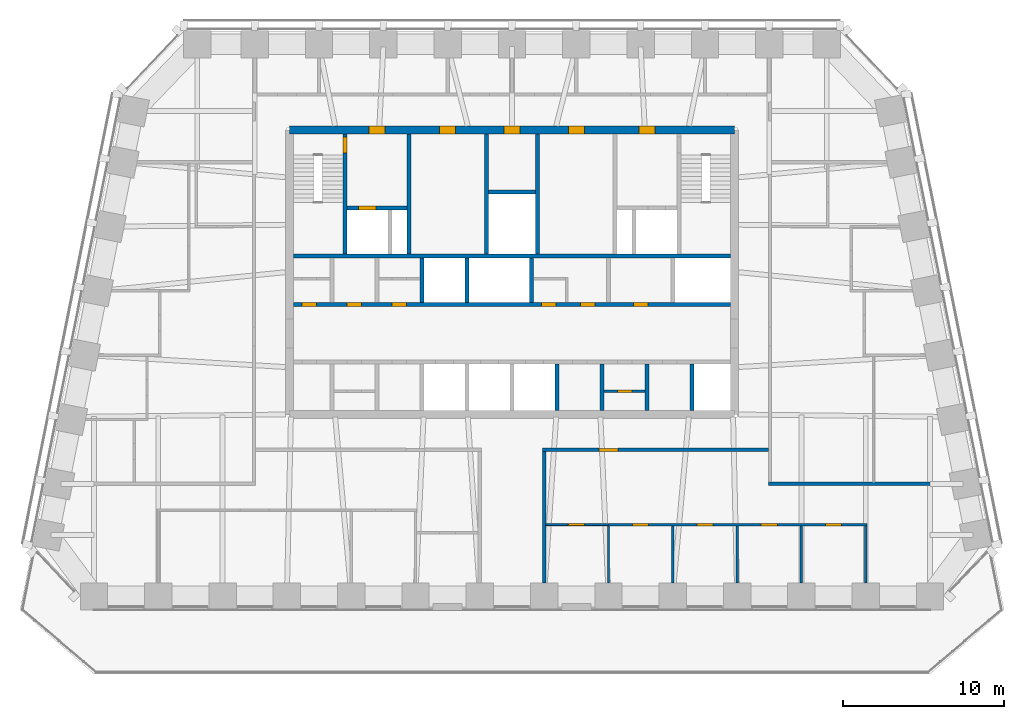
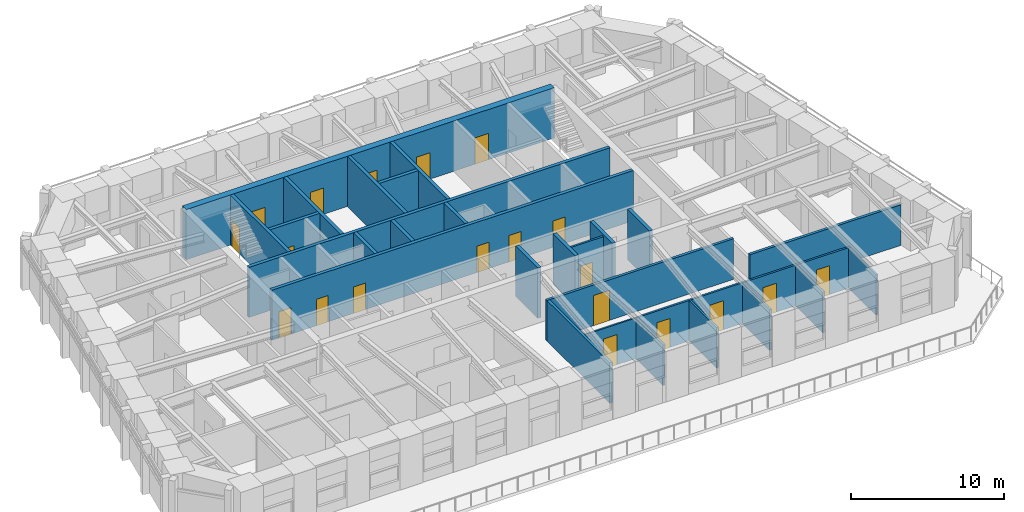
# One storey, part 6 of 11: 27 walls, 20 doors, 20 openings.
"""IFC4 building model written with IfcOpenShell, lengths in metres."""

import ifcopenshell
import ifcopenshell.guid

model = None  # the IFC model being written
_history = None  # IfcOwnerHistory: only IFC2X3 demands one
_inside = {}  # id of a spatial element -> (the spatial element, [elements in it])
_under = {}  # id of a project, library or spatial element -> (it, [spatial elements below it])
_declared = {}  # id of a project -> (the project, [libraries it declares])
_typed = {}  # id of a type object -> (the type object, [elements of that type])
_made_of = {}  # id of a material, layer set ... -> (it, [elements and type objects made of it])


def new_model(schema):
    """Start an empty IFC model of exactly this schema.

    Asked for "IFC4X3", IfcOpenShell would pick the latest addendum, in which some entities
    have other attributes; the version numbers below select the first issue.
    IFC2X3 requires an IfcOwnerHistory on every rooted entity: one is made here for all.
    """
    global model, _history
    if schema == "IFC4X3":
        model = ifcopenshell.file(schema_version=(4, 3, 0, 0))
    else:
        model = ifcopenshell.file(schema=schema)
    _inside.clear()
    _under.clear()
    _declared.clear()
    _typed.clear()
    _made_of.clear()
    _history = None
    if model.schema == "IFC2X3":
        org = make("IfcOrganization", Name="unknown")
        user = make(
            "IfcPersonAndOrganization",
            ThePerson=make("IfcPerson", FamilyName="unknown"),
            TheOrganization=org,
        )
        app = make(
            "IfcApplication",
            ApplicationDeveloper=org,
            Version="unknown",
            ApplicationFullName="unknown",
            ApplicationIdentifier="unknown",
        )
        _history = make(
            "IfcOwnerHistory",
            OwningUser=user,
            OwningApplication=app,
            ChangeAction="ADDED",
            CreationDate=0,
        )
    return model


def make(cls, **values):
    """One entity of the class cls with the attributes given. An attribute that is None is left unset."""
    return model.create_entity(
        cls, **{name: value for name, value in values.items() if value is not None}
    )


def rooted(cls, **values):
    """An entity with a GlobalId (a new one), such as an element, a storey or a relation."""
    return make(cls, GlobalId=ifcopenshell.guid.new(), OwnerHistory=_history, **values)


def si_unit(unit_type, name, prefix=None):
    """IfcSIUnit, for example si_unit("LENGTHUNIT", "METRE", prefix="MILLI")."""
    return make("IfcSIUnit", UnitType=unit_type, Prefix=prefix, Name=name)


def assignment(units):
    """IfcUnitAssignment: the units of a project."""
    return None if units is None else make("IfcUnitAssignment", Units=units)


def point(xyz):
    """IfcCartesianPoint."""
    return None if xyz is None else make("IfcCartesianPoint", Coordinates=xyz)


def direction(xyz):
    """IfcDirection."""
    return None if xyz is None else make("IfcDirection", DirectionRatios=xyz)


def frame(location, z_axis=None, x_axis=None):
    """IfcAxis2Placement3D, a coordinate frame: its origin and axes. An axis left out is left unset."""
    return make(
        "IfcAxis2Placement3D",
        Location=point(location),
        Axis=direction(z_axis),
        RefDirection=direction(x_axis),
    )


def frame_2d(location, x_axis=None):
    """IfcAxis2Placement2D, a coordinate frame in the plane: its origin and x axis."""
    return make(
        "IfcAxis2Placement2D", Location=point(location), RefDirection=direction(x_axis)
    )


def origin():
    """The frame at (0, 0, 0) with its axes left unset."""
    return frame((0.0, 0.0, 0.0))


def place(relative_to, where):
    """IfcLocalPlacement: puts the frame where relative to a parent placement (None: the world)."""
    return make(
        "IfcLocalPlacement", PlacementRelTo=relative_to, RelativePlacement=where
    )


def context(
    kind, dimensions, precision=None, world=None, true_north=None, identifier=None
):
    """IfcGeometricRepresentationContext, for example the 3D "Model" context."""
    return make(
        "IfcGeometricRepresentationContext",
        ContextIdentifier=identifier,
        ContextType=kind,
        CoordinateSpaceDimension=dimensions,
        Precision=precision,
        WorldCoordinateSystem=world,
        TrueNorth=true_north,
    )


def subcontext(parent, identifier, kind, view, scale=None):
    """IfcGeometricRepresentationSubContext, for example "Body" below "Model"."""
    return make(
        "IfcGeometricRepresentationSubContext",
        ContextIdentifier=identifier,
        ContextType=kind,
        ParentContext=parent,
        TargetScale=scale,
        TargetView=view,
    )


def project(units=None, contexts=None):
    """IfcProject with its units and contexts."""
    return rooted(
        "IfcProject",
        Name="project",
        RepresentationContexts=contexts,
        UnitsInContext=assignment(units),
    )


def spatial(cls, under=None, at=None, **own):
    """A site, building, storey or space (cls), placed at a placement, below another one or the project."""
    s = rooted(cls, ObjectPlacement=at, **own)
    if under is not None:
        _under.setdefault(under.id(), (under, []))[1].append(s)
    return s


def profile(cls, at=None, kind="AREA", **sizes):
    """A parametric profile (cls). Its sizes go by their IFC names, for example OverallWidth=200.0."""
    return make(cls, ProfileType=kind, Position=at, **sizes)


def rectangle(**sizes):
    """IfcRectangleProfileDef."""
    return profile("IfcRectangleProfileDef", **sizes)


def extrude(swept, where, along, depth):
    """IfcExtrudedAreaSolid: the profile swept, set in the frame where, extruded along a direction by depth."""
    return make(
        "IfcExtrudedAreaSolid",
        SweptArea=swept,
        Position=where,
        ExtrudedDirection=direction(along),
        Depth=depth,
    )


def shape(context_of_items, identifier, shape_type, items):
    """IfcShapeRepresentation: the items that make up one representation, for example the "Body"."""
    return make(
        "IfcShapeRepresentation",
        ContextOfItems=context_of_items,
        RepresentationIdentifier=identifier,
        RepresentationType=shape_type,
        Items=items,
    )


def material(Name=None, Category=None):
    """IfcMaterial."""
    return make("IfcMaterial", Name=Name, Category=Category)


def layer(
    of_material, thickness, ventilated=None, Name=None, Category=None, Priority=None
):
    """IfcMaterialLayer: one layer of a wall or slab, of a material (None: an air gap)."""
    return make(
        "IfcMaterialLayer",
        Material=of_material,
        LayerThickness=thickness,
        IsVentilated=ventilated,
        Name=Name,
        Category=Category,
        Priority=Priority,
    )


def layer_set(layers, Name=None):
    """IfcMaterialLayerSet."""
    return make("IfcMaterialLayerSet", MaterialLayers=layers, LayerSetName=Name)


def made_of(thing, what):
    """Note that an element or type object is made of a material, layer set ...; save() writes the relation."""
    if what is not None:
        _made_of.setdefault(what.id(), (what, []))[1].append(thing)
    return thing


def type_object(cls, material=None, **own):
    """A type object (cls), such as IfcWallType, which elements share."""
    return made_of(rooted(cls, **own), material)


def element(
    cls,
    number,
    at=None,
    inside=None,
    cuts=None,
    type_object=None,
    material=None,
    context=None,
    identifier="Body",
    shape_type=None,
    held_by="IfcProductDefinitionShape",
    body=None,
    shapes=None,
    **own,
):
    """One element of the class cls, such as IfcWall. Its Tag is "e" and its number.

    at: its placement. inside: the storey or other place that contains it. cuts: it is an
    opening in that element (IfcRelVoidsElement). A single representation is given by context,
    identifier, shape_type and body (its items); several are given by shapes. held_by: the class
    of the entity that holds the representations. save() writes the other relations.
    """
    e = rooted(cls, Tag="e%d" % number, ObjectPlacement=at, **own)
    if body is not None:
        shapes = [shape(context, identifier, shape_type, body)]
    if shapes is not None:
        e.Representation = make(held_by, Representations=shapes)
    if inside is not None:
        _inside.setdefault(inside.id(), (inside, []))[1].append(e)
    if cuts is not None:
        rooted(
            "IfcRelVoidsElement", RelatingBuildingElement=cuts, RelatedOpeningElement=e
        )
    if type_object is not None:
        _typed.setdefault(type_object.id(), (type_object, []))[1].append(e)
    return made_of(e, material)


def fill(opening, filler):
    """IfcRelFillsElement: the door or window that sits in an opening."""
    return rooted(
        "IfcRelFillsElement",
        RelatingOpeningElement=opening,
        RelatedBuildingElement=filler,
    )


def aggregate(whole, parts):
    """IfcRelAggregates: a whole, such as a stair, and the parts it consists of."""
    return rooted("IfcRelAggregates", RelatingObject=whole, RelatedObjects=parts)


def save(model, path):
    """Write the relations noted so far, then the file.

    IfcRelAggregates (storeys below a building ...), IfcRelContainedInSpatialStructure (elements
    in a storey), IfcRelDefinesByType, IfcRelAssociatesMaterial and IfcRelDeclares: one each for
    every whole, place, type object, material and project.
    """
    for whole, parts in _under.values():
        aggregate(whole, parts)
    for where, things in _inside.values():
        rooted(
            "IfcRelContainedInSpatialStructure",
            RelatedElements=things,
            RelatingStructure=where,
        )
    for kind, things in _typed.values():
        rooted("IfcRelDefinesByType", RelatedObjects=things, RelatingType=kind)
    for what, things in _made_of.values():
        rooted("IfcRelAssociatesMaterial", RelatedObjects=things, RelatingMaterial=what)
    for by, libraries in _declared.values():
        rooted("IfcRelDeclares", RelatingContext=by, RelatedDefinitions=libraries)
    model.write(path)


model = new_model("IFC4")

# Units and contexts
model_context = context("Model", 3, precision=1e-05, world=origin(), true_north=direction((0.0, 1.0)))
body_context = subcontext(model_context, "Body", "Model", "MODEL_VIEW")
ifc_project = project(units=[si_unit("LENGTHUNIT", "METRE"), si_unit("AREAUNIT", "SQUARE_METRE"), si_unit("VOLUMEUNIT", "CUBIC_METRE"), si_unit("PLANEANGLEUNIT", "RADIAN"), si_unit("MASSUNIT", "GRAM", prefix="KILO")], contexts=[model_context])

# Site, building, storey
site_placement = place(None, origin())
site = spatial("IfcSite", under=ifc_project, at=site_placement, CompositionType="ELEMENT")
building_placement = place(site_placement, origin())
building = spatial("IfcBuilding", under=site, at=building_placement, Name="Isbrekke Arena Tower", CompositionType="ELEMENT")
storey_placement = place(building_placement, frame((0.0, 0.0, 284.0)))
storey = spatial("IfcBuildingStorey", under=building, at=storey_placement, Name="L66", CompositionType="ELEMENT", Elevation=284.0)

# Wall, openings, doors
ifc_material_1 = material(Name="Concrete B55 (C55/67)", Category="concrete")
ifc_layer_1 = layer(ifc_material_1, 0.5)
ifc_layer_set_1 = layer_set([ifc_layer_1], Name="CW5 CORE WALL 500")
wall_type_1 = type_object("IfcWallType", Name="CW5 CORE WALL 500", PredefinedType="SHEAR", material=ifc_layer_set_1)
wall_1_placement = place(storey_placement, frame((13.85009765625, 23.85009765625, 0.0), z_axis=(0.0, 0.0, 1.0), x_axis=(-1.0, 0.0, 0.0)))
wall_1 = element("IfcWall", 1, at=wall_1_placement, inside=storey, type_object=wall_type_1, Name="Core wall N L66", PredefinedType="SHEAR", context=body_context, shape_type="SweptSolid", body=[
    extrude(rectangle(XDim=27.7001953125, YDim=0.5, at=frame_2d((13.85009765625, 0.0))), origin(), (0.0, 0.0, 1.0), 4.0),
])
opening_1_placement = place(wall_1_placement, frame((21.75, 0.0, 0.0)))
opening_1 = element("IfcOpeningElement", 2, at=opening_1_placement, cuts=wall_1, Name="Opening D3", PredefinedType="OPENING", context=body_context, shape_type="SweptSolid", body=[
    extrude(rectangle(XDim=1.0, YDim=2.10009765625, at=frame_2d((0.5, 1.050048828125))), frame((0.0, 0.264892578125, 0.0), z_axis=(0.0, -1.0, 0.0), x_axis=(1.0, 0.0, 0.0)), (0.0, 0.0, 1.0), 0.52978515625),
])
opening_2_placement = place(wall_1_placement, frame((4.949951171875, 0.0, 0.0)))
opening_2 = element("IfcOpeningElement", 3, at=opening_2_placement, cuts=wall_1, Name="Opening D3", PredefinedType="OPENING", context=body_context, shape_type="SweptSolid", body=[
    extrude(rectangle(XDim=1.0, YDim=2.10009765625, at=frame_2d((0.5, 1.050048828125))), frame((0.0, 0.264892578125, 0.0), z_axis=(0.0, -1.0, 0.0), x_axis=(1.0, 0.0, 0.0)), (0.0, 0.0, 1.0), 0.52978515625),
])
opening_3_placement = place(wall_1_placement, frame((17.35009765625, 0.0, 0.0)))
opening_3 = element("IfcOpeningElement", 4, at=opening_3_placement, cuts=wall_1, Name="Opening D4", PredefinedType="OPENING", context=body_context, shape_type="SweptSolid", body=[
    extrude(rectangle(XDim=1.0, YDim=2.10009765625, at=frame_2d((0.5, 1.050048828125))), frame((0.0, 0.264892578125, 0.0), z_axis=(0.0, -1.0, 0.0), x_axis=(1.0, 0.0, 0.0)), (0.0, 0.0, 1.0), 0.52978515625),
])
opening_4_placement = place(wall_1_placement, frame((13.35009765625, 0.0, 0.0)))
opening_4 = element("IfcOpeningElement", 5, at=opening_4_placement, cuts=wall_1, Name="Opening D4", PredefinedType="OPENING", context=body_context, shape_type="SweptSolid", body=[
    extrude(rectangle(XDim=1.0, YDim=2.10009765625, at=frame_2d((0.5, 1.050048828125))), frame((0.0, 0.264892578125, 0.0), z_axis=(0.0, -1.0, 0.0), x_axis=(1.0, 0.0, 0.0)), (0.0, 0.0, 1.0), 0.52978515625),
])
opening_5_placement = place(wall_1_placement, frame((9.35009765625, 0.0, 0.0)))
opening_5 = element("IfcOpeningElement", 6, at=opening_5_placement, cuts=wall_1, Name="Opening D4", PredefinedType="OPENING", context=body_context, shape_type="SweptSolid", body=[
    extrude(rectangle(XDim=1.0, YDim=2.10009765625, at=frame_2d((0.5, 1.050048828125))), frame((0.0, 0.264892578125, 0.0), z_axis=(0.0, -1.0, 0.0), x_axis=(1.0, 0.0, 0.0)), (0.0, 0.0, 1.0), 0.52978515625),
])
ifc_material_2 = material(Name="Steel fire door", Category="steel")
door_type_1 = type_object("IfcDoorType", Name="D3 FIRE LOBBY DOOR 1000 x 2100", OperationType="SINGLE_SWING_RIGHT", PredefinedType="DOOR", material=ifc_material_2)
door_1_placement = place(opening_1_placement, origin())
door_1 = element("IfcDoor", 7, at=door_1_placement, inside=storey, type_object=door_type_1, Name="D3 fire-fighting lobby door L66", OperationType="SINGLE_SWING_RIGHT", OverallHeight=2.10009765625, OverallWidth=1.0, PredefinedType="DOOR", context=body_context, shape_type="SweptSolid", body=[
    extrude(rectangle(XDim=1.0, YDim=2.10009765625, at=frame_2d((0.5, 1.050048828125))), frame((0.0, 0.249755859375, 0.0), z_axis=(0.0, -1.0, 0.0), x_axis=(1.0, 0.0, 0.0)), (0.0, 0.0, 1.0), 0.49951171875),
])
fill(opening_1, door_1)
door_2_placement = place(opening_2_placement, origin())
door_2 = element("IfcDoor", 8, at=door_2_placement, inside=storey, type_object=door_type_1, Name="D3 fire-fighting lobby door L66", OperationType="SINGLE_SWING_RIGHT", OverallHeight=2.10009765625, OverallWidth=1.0, PredefinedType="DOOR", context=body_context, shape_type="SweptSolid", body=[
    extrude(rectangle(XDim=1.0, YDim=2.10009765625, at=frame_2d((0.5, 1.050048828125))), frame((0.0, 0.249755859375, 0.0), z_axis=(0.0, -1.0, 0.0), x_axis=(1.0, 0.0, 0.0)), (0.0, 0.0, 1.0), 0.49951171875),
])
fill(opening_2, door_2)
ifc_material_3 = material(Name="Timber door", Category="wood")
door_type_2 = type_object("IfcDoorType", Name="D4 WC DOOR 1000 x 2100", OperationType="SINGLE_SWING_LEFT", PredefinedType="DOOR", material=ifc_material_3)
door_3_placement = place(opening_3_placement, origin())
door_3 = element("IfcDoor", 9, at=door_3_placement, inside=storey, type_object=door_type_2, Name="D4 wc female door L66", OperationType="SINGLE_SWING_LEFT", OverallHeight=2.10009765625, OverallWidth=1.0, PredefinedType="DOOR", context=body_context, shape_type="SweptSolid", body=[
    extrude(rectangle(XDim=1.0, YDim=2.10009765625, at=frame_2d((0.5, 1.050048828125))), frame((0.0, 0.249755859375, 0.0), z_axis=(0.0, -1.0, 0.0), x_axis=(1.0, 0.0, 0.0)), (0.0, 0.0, 1.0), 0.49951171875),
])
fill(opening_3, door_3)
door_4_placement = place(opening_4_placement, origin())
door_4 = element("IfcDoor", 10, at=door_4_placement, inside=storey, type_object=door_type_2, Name="D4 accessible wc door L66", OperationType="SINGLE_SWING_LEFT", OverallHeight=2.10009765625, OverallWidth=1.0, PredefinedType="DOOR", context=body_context, shape_type="SweptSolid", body=[
    extrude(rectangle(XDim=1.0, YDim=2.10009765625, at=frame_2d((0.5, 1.050048828125))), frame((0.0, 0.249755859375, 0.0), z_axis=(0.0, -1.0, 0.0), x_axis=(1.0, 0.0, 0.0)), (0.0, 0.0, 1.0), 0.49951171875),
])
fill(opening_4, door_4)
door_5_placement = place(opening_5_placement, origin())
door_5 = element("IfcDoor", 11, at=door_5_placement, inside=storey, type_object=door_type_2, Name="D4 wc male door L66", OperationType="SINGLE_SWING_LEFT", OverallHeight=2.10009765625, OverallWidth=1.0, PredefinedType="DOOR", context=body_context, shape_type="SweptSolid", body=[
    extrude(rectangle(XDim=1.0, YDim=2.10009765625, at=frame_2d((0.5, 1.050048828125))), frame((0.0, 0.249755859375, 0.0), z_axis=(0.0, -1.0, 0.0), x_axis=(1.0, 0.0, 0.0)), (0.0, 0.0, 1.0), 0.49951171875),
])
fill(opening_5, door_5)

ifc_material_4 = material(Name="Concrete B45 (C45/55)", Category="concrete")
ifc_layer_2 = layer(ifc_material_4, 0.25)
ifc_layer_set_2 = layer_set([ifc_layer_2], Name="CW6 SHAFT WALL 250")
wall_type_2 = type_object("IfcWallType", Name="CW6 SHAFT WALL 250", PredefinedType="SHEAR", material=ifc_layer_set_2)
wall_2_placement = place(storey_placement, frame((-13.60009765625, 13.0, 0.0), z_axis=(0.0, 0.0, 1.0), x_axis=(1.0, 0.0, 0.0)))
wall_2 = element("IfcWall", 12, at=wall_2_placement, inside=storey, type_object=wall_type_2, Name="Core wall LN L66", PredefinedType="SHEAR", context=body_context, shape_type="SweptSolid", body=[
    extrude(rectangle(XDim=27.2001953125, YDim=0.25, at=frame_2d((13.60009765625, 0.0))), origin(), (0.0, 0.0, 1.0), 4.0),
])
opening_6_placement = place(wall_2_placement, frame((17.85009765625, 0.0, 0.0)))
opening_6 = element("IfcOpeningElement", 13, at=opening_6_placement, cuts=wall_2, Name="Opening D5", PredefinedType="OPENING", context=body_context, shape_type="SweptSolid", body=[
    extrude(rectangle(XDim=0.89990234375, YDim=2.10009765625, at=frame_2d((0.449951171875, 1.050048828125))), frame((0.0, 0.139892578125, 0.0), z_axis=(0.0, -1.0, 0.0), x_axis=(1.0, 0.0, 0.0)), (0.0, 0.0, 1.0), 0.27978515625),
])
opening_7_placement = place(wall_2_placement, frame((15.449951171875, 0.0, 0.0)))
opening_7 = element("IfcOpeningElement", 14, at=opening_7_placement, cuts=wall_2, Name="Opening D5", PredefinedType="OPENING", context=body_context, shape_type="SweptSolid", body=[
    extrude(rectangle(XDim=0.89990234375, YDim=2.10009765625, at=frame_2d((0.449951171875, 1.050048828125))), frame((0.0, 0.139892578125, 0.0), z_axis=(0.0, -1.0, 0.0), x_axis=(1.0, 0.0, 0.0)), (0.0, 0.0, 1.0), 0.27978515625),
])
opening_8_placement = place(wall_2_placement, frame((21.14990234375, 0.0, 0.0)))
opening_8 = element("IfcOpeningElement", 15, at=opening_8_placement, cuts=wall_2, Name="Opening D5", PredefinedType="OPENING", context=body_context, shape_type="SweptSolid", body=[
    extrude(rectangle(XDim=0.89990234375, YDim=2.10009765625, at=frame_2d((0.449951171875, 1.050048828125))), frame((0.0, 0.139892578125, 0.0), z_axis=(0.0, -1.0, 0.0), x_axis=(1.0, 0.0, 0.0)), (0.0, 0.0, 1.0), 0.27978515625),
])
opening_9_placement = place(wall_2_placement, frame((0.550048828125, 0.0, 0.0)))
opening_9 = element("IfcOpeningElement", 16, at=opening_9_placement, cuts=wall_2, Name="Opening D5", PredefinedType="OPENING", context=body_context, shape_type="SweptSolid", body=[
    extrude(rectangle(XDim=0.89990234375, YDim=2.10009765625, at=frame_2d((0.449951171875, 1.050048828125))), frame((0.0, 0.139892578125, 0.0), z_axis=(0.0, -1.0, 0.0), x_axis=(1.0, 0.0, 0.0)), (0.0, 0.0, 1.0), 0.27978515625),
])
opening_10_placement = place(wall_2_placement, frame((3.35009765625, 0.0, 0.0)))
opening_10 = element("IfcOpeningElement", 17, at=opening_10_placement, cuts=wall_2, Name="Opening D5", PredefinedType="OPENING", context=body_context, shape_type="SweptSolid", body=[
    extrude(rectangle(XDim=0.89990234375, YDim=2.10009765625, at=frame_2d((0.449951171875, 1.050048828125))), frame((0.0, 0.139892578125, 0.0), z_axis=(0.0, -1.0, 0.0), x_axis=(1.0, 0.0, 0.0)), (0.0, 0.0, 1.0), 0.27978515625),
])
opening_11_placement = place(wall_2_placement, frame((6.14990234375, 0.0, 0.0)))
opening_11 = element("IfcOpeningElement", 18, at=opening_11_placement, cuts=wall_2, Name="Opening D5", PredefinedType="OPENING", context=body_context, shape_type="SweptSolid", body=[
    extrude(rectangle(XDim=0.89990234375, YDim=2.10009765625, at=frame_2d((0.449951171875, 1.050048828125))), frame((0.0, 0.139892578125, 0.0), z_axis=(0.0, -1.0, 0.0), x_axis=(1.0, 0.0, 0.0)), (0.0, 0.0, 1.0), 0.27978515625),
])
ifc_material_5 = material(Name="Steel fire door", Category="steel")
door_type_3 = type_object("IfcDoorType", Name="D5 SERVICE DOOR 900 x 2100", OperationType="SINGLE_SWING_LEFT", PredefinedType="DOOR", material=ifc_material_5)
door_6_placement = place(opening_6_placement, origin())
door_6 = element("IfcDoor", 19, at=door_6_placement, inside=storey, type_object=door_type_3, Name="D5 communications room door L66", OperationType="SINGLE_SWING_LEFT", OverallHeight=2.10009765625, OverallWidth=0.89990234375, PredefinedType="DOOR", context=body_context, shape_type="SweptSolid", body=[
    extrude(rectangle(XDim=0.89990234375, YDim=2.10009765625, at=frame_2d((0.449951171875, 1.050048828125))), frame((0.0, 0.124755859375, 0.0), z_axis=(0.0, -1.0, 0.0), x_axis=(1.0, 0.0, 0.0)), (0.0, 0.0, 1.0), 0.24951171875),
])
fill(opening_6, door_6)
door_7_placement = place(opening_7_placement, origin())
door_7 = element("IfcDoor", 20, at=door_7_placement, inside=storey, type_object=door_type_3, Name="D5 cleaner's store door L66", OperationType="SINGLE_SWING_LEFT", OverallHeight=2.10009765625, OverallWidth=0.89990234375, PredefinedType="DOOR", context=body_context, shape_type="SweptSolid", body=[
    extrude(rectangle(XDim=0.89990234375, YDim=2.10009765625, at=frame_2d((0.449951171875, 1.050048828125))), frame((0.0, 0.124755859375, 0.0), z_axis=(0.0, -1.0, 0.0), x_axis=(1.0, 0.0, 0.0)), (0.0, 0.0, 1.0), 0.24951171875),
])
fill(opening_7, door_7)
door_8_placement = place(opening_8_placement, origin())
door_8 = element("IfcDoor", 21, at=door_8_placement, inside=storey, type_object=door_type_3, Name="D5 print room door L66", OperationType="SINGLE_SWING_LEFT", OverallHeight=2.10009765625, OverallWidth=0.89990234375, PredefinedType="DOOR", context=body_context, shape_type="SweptSolid", body=[
    extrude(rectangle(XDim=0.89990234375, YDim=2.10009765625, at=frame_2d((0.449951171875, 1.050048828125))), frame((0.0, 0.124755859375, 0.0), z_axis=(0.0, -1.0, 0.0), x_axis=(1.0, 0.0, 0.0)), (0.0, 0.0, 1.0), 0.24951171875),
])
fill(opening_8, door_8)
door_9_placement = place(opening_9_placement, origin())
door_9 = element("IfcDoor", 22, at=door_9_placement, inside=storey, type_object=door_type_3, Name="D5 print room door L66", OperationType="SINGLE_SWING_LEFT", OverallHeight=2.10009765625, OverallWidth=0.89990234375, PredefinedType="DOOR", context=body_context, shape_type="SweptSolid", body=[
    extrude(rectangle(XDim=0.89990234375, YDim=2.10009765625, at=frame_2d((0.449951171875, 1.050048828125))), frame((0.0, 0.124755859375, 0.0), z_axis=(0.0, -1.0, 0.0), x_axis=(1.0, 0.0, 0.0)), (0.0, 0.0, 1.0), 0.24951171875),
])
fill(opening_9, door_9)
door_10_placement = place(opening_10_placement, origin())
door_10 = element("IfcDoor", 23, at=door_10_placement, inside=storey, type_object=door_type_3, Name="D5 archive door L66", OperationType="SINGLE_SWING_LEFT", OverallHeight=2.10009765625, OverallWidth=0.89990234375, PredefinedType="DOOR", context=body_context, shape_type="SweptSolid", body=[
    extrude(rectangle(XDim=0.89990234375, YDim=2.10009765625, at=frame_2d((0.449951171875, 1.050048828125))), frame((0.0, 0.124755859375, 0.0), z_axis=(0.0, -1.0, 0.0), x_axis=(1.0, 0.0, 0.0)), (0.0, 0.0, 1.0), 0.24951171875),
])
fill(opening_10, door_10)
door_11_placement = place(opening_11_placement, origin())
door_11 = element("IfcDoor", 24, at=door_11_placement, inside=storey, type_object=door_type_3, Name="D5 tea point door L66", OperationType="SINGLE_SWING_LEFT", OverallHeight=2.10009765625, OverallWidth=0.89990234375, PredefinedType="DOOR", context=body_context, shape_type="SweptSolid", body=[
    extrude(rectangle(XDim=0.89990234375, YDim=2.10009765625, at=frame_2d((0.449951171875, 1.050048828125))), frame((0.0, 0.124755859375, 0.0), z_axis=(0.0, -1.0, 0.0), x_axis=(1.0, 0.0, 0.0)), (0.0, 0.0, 1.0), 0.24951171875),
])
fill(opening_11, door_11)

# Walls
wall_3_placement = place(storey_placement, frame((-13.60009765625, 16.0, 0.0), z_axis=(0.0, 0.0, 1.0), x_axis=(1.0, 0.0, 0.0)))
element("IfcWall", 25, at=wall_3_placement, inside=storey, type_object=wall_type_2, Name="Core wall NB L66", PredefinedType="SHEAR", context=body_context, shape_type="SweptSolid", body=[
    extrude(rectangle(XDim=27.2001953125, YDim=0.25, at=frame_2d((13.60009765625, 0.0))), origin(), (0.0, 0.0, 1.0), 4.0),
])
for number, where, z_axis, x_axis, name in (
    (26, (2.800048828125, 6.39990234375, 0.0), (0.0, 0.0, 1.0), (0.0, 1.0, 0.0), "Core wall SS06 L66"),
    (27, (5.60009765625, 6.39990234375, 0.0), (0.0, 0.0, 1.0), (0.0, 1.0, 0.0), "Core wall SS07 L66"),
    (28, (8.39990234375, 6.39990234375, 0.0), (0.0, 0.0, 1.0), (0.0, 1.0, 0.0), "Core wall SS08 L66"),
    (29, (11.199951171875, 6.39990234375, 0.0), (0.0, 0.0, 1.0), (0.0, 1.0, 0.0), "Core wall SS09 L66"),
):
    element("IfcWall", number, at=place(storey_placement, frame(where, z_axis=z_axis, x_axis=x_axis)), inside=storey, type_object=wall_type_2, Name=name, PredefinedType="SHEAR", context=body_context, shape_type="SweptSolid", body=[
        extrude(rectangle(XDim=2.875, YDim=0.25, at=frame_2d((1.4375, 0.0))), origin(), (0.0, 0.0, 1.0), 4.0),
    ])
for number, where, z_axis, x_axis, name in (
    (30, (-5.60009765625, 13.125, 0.0), (0.0, 0.0, 1.0), (0.0, 1.0, 0.0), "Core wall SN03 L66"),
    (31, (-2.800048828125, 13.125, 0.0), (0.0, 0.0, 1.0), (0.0, 1.0, 0.0), "Core wall SN04 L66"),
    (32, (1.199951171875, 13.125, 0.0), (0.0, 0.0, 1.0), (0.0, 1.0, 0.0), "Core wall SN05 L66"),
):
    element("IfcWall", number, at=place(storey_placement, frame(where, z_axis=z_axis, x_axis=x_axis)), inside=storey, type_object=wall_type_2, Name=name, PredefinedType="SHEAR", context=body_context, shape_type="SweptSolid", body=[
        extrude(rectangle(XDim=2.75, YDim=0.25, at=frame_2d((1.375, 0.0))), origin(), (0.0, 0.0, 1.0), 4.0),
    ])

# Wall, opening, door
wall_4_placement = place(storey_placement, frame((-10.39990234375, 16.125, 0.0), z_axis=(0.0, 0.0, 1.0), x_axis=(0.0, 1.0, 0.0)))
wall_4 = element("IfcWall", 33, at=wall_4_placement, inside=storey, type_object=wall_type_2, Name="Core wall NV01 L66", PredefinedType="SHEAR", context=body_context, shape_type="SweptSolid", body=[
    extrude(rectangle(XDim=7.47509765625, YDim=0.25, at=frame_2d((3.737548828125, 0.0))), origin(), (0.0, 0.0, 1.0), 4.0),
])
opening_12_placement = place(wall_4_placement, frame((6.27490234375, 0.0, 0.0)))
opening_12 = element("IfcOpeningElement", 34, at=opening_12_placement, cuts=wall_4, Name="Opening D2", PredefinedType="OPENING", context=body_context, shape_type="SweptSolid", body=[
    extrude(rectangle(XDim=1.0, YDim=2.10009765625, at=frame_2d((0.5, 1.050048828125))), frame((0.0, 0.139892578125, 0.0), z_axis=(0.0, -1.0, 0.0), x_axis=(1.0, 0.0, 0.0)), (0.0, 0.0, 1.0), 0.27978515625),
])
ifc_material_6 = material(Name="Steel fire door", Category="steel")
door_type_4 = type_object("IfcDoorType", Name="D2 STAIR DOOR 1000 x 2100", OperationType="SINGLE_SWING_LEFT", PredefinedType="DOOR", material=ifc_material_6)
door_12_placement = place(opening_12_placement, origin())
door_12 = element("IfcDoor", 35, at=door_12_placement, inside=storey, type_object=door_type_4, Name="D2 stair door ST1 L66", OperationType="SINGLE_SWING_LEFT", OverallHeight=2.10009765625, OverallWidth=1.0, PredefinedType="DOOR", context=body_context, shape_type="SweptSolid", body=[
    extrude(rectangle(XDim=1.0, YDim=2.10009765625, at=frame_2d((0.5, 1.050048828125))), frame((0.0, 0.124755859375, 0.0), z_axis=(0.0, -1.0, 0.0), x_axis=(1.0, 0.0, 0.0)), (0.0, 0.0, 1.0), 0.24951171875),
])
fill(opening_12, door_12)

# Walls
for number, where, z_axis, x_axis, name in (
    (36, (-6.39990234375, 16.125, 0.0), (0.0, 0.0, 1.0), (0.0, 1.0, 0.0), "Core wall NV02 L66"),
    (37, (-1.60009765625, 16.125, 0.0), (0.0, 0.0, 1.0), (0.0, 1.0, 0.0), "Core wall NV03 L66"),
    (38, (1.60009765625, 16.125, 0.0), (0.0, 0.0, 1.0), (0.0, 1.0, 0.0), "Core wall NV04 L66"),
):
    element("IfcWall", number, at=place(storey_placement, frame(where, z_axis=z_axis, x_axis=x_axis)), inside=storey, type_object=wall_type_2, Name=name, PredefinedType="SHEAR", context=body_context, shape_type="SweptSolid", body=[
        extrude(rectangle(XDim=7.47509765625, YDim=0.25, at=frame_2d((3.737548828125, 0.0))), origin(), (0.0, 0.0, 1.0), 4.0),
    ])

# Wall, opening, door
wall_5_placement = place(storey_placement, frame((-10.27490234375, 19.0, 0.0), z_axis=(0.0, 0.0, 1.0), x_axis=(1.0, 0.0, 0.0)))
wall_5 = element("IfcWall", 39, at=wall_5_placement, inside=storey, type_object=wall_type_2, Name="Core wall NFW L66", PredefinedType="SHEAR", context=body_context, shape_type="SweptSolid", body=[
    extrude(rectangle(XDim=3.75, YDim=0.25, at=frame_2d((1.875, 0.0))), origin(), (0.0, 0.0, 1.0), 4.0),
])
opening_13_placement = place(wall_5_placement, frame((0.72509765625, 0.0, 0.0)))
opening_13 = element("IfcOpeningElement", 40, at=opening_13_placement, cuts=wall_5, Name="Opening LD2", PredefinedType="OPENING", context=body_context, shape_type="SweptSolid", body=[
    extrude(rectangle(XDim=1.10009765625, YDim=2.10009765625, at=frame_2d((0.550048828125, 1.050048828125))), frame((0.0, 0.139892578125, 0.0), z_axis=(0.0, -1.0, 0.0), x_axis=(1.0, 0.0, 0.0)), (0.0, 0.0, 1.0), 0.27978515625),
])
ifc_material_7 = material(Name="Stainless steel lift landing door", Category="steel")
door_type_5 = type_object("IfcDoorType", Name="LD2 FIRE-FIGHTING LIFT LANDING DOOR 1100 x 2100", OperationType="SLIDING_TO_RIGHT", PredefinedType="DOOR", material=ifc_material_7)
door_13_placement = place(opening_13_placement, origin())
door_13 = element("IfcDoor", 41, at=door_13_placement, inside=storey, type_object=door_type_5, Name="LD2 lift landing door LF L66", OperationType="SLIDING_TO_RIGHT", OverallHeight=2.10009765625, OverallWidth=1.10009765625, PredefinedType="DOOR", context=body_context, shape_type="SweptSolid", body=[
    extrude(rectangle(XDim=1.10009765625, YDim=2.10009765625, at=frame_2d((0.550048828125, 1.050048828125))), frame((0.0, 0.124755859375, 0.0), z_axis=(0.0, -1.0, 0.0), x_axis=(1.0, 0.0, 0.0)), (0.0, 0.0, 1.0), 0.24951171875),
])
fill(opening_13, door_13)

# Wall
wall_6_placement = place(storey_placement, frame((-1.47509765625, 20.0, 0.0), z_axis=(0.0, 0.0, 1.0), x_axis=(1.0, 0.0, 0.0)))
element("IfcWall", 42, at=wall_6_placement, inside=storey, type_object=wall_type_2, Name="Core wall NWC L66", PredefinedType="SHEAR", context=body_context, shape_type="SweptSolid", body=[
    extrude(rectangle(XDim=2.9501953125, YDim=0.25, at=frame_2d((1.47509765625, 0.0))), origin(), (0.0, 0.0, 1.0), 4.0),
])

# Wall, openings, doors
ifc_material_8 = material(Name="Gypsum board partition on steel studs", Category="steel")
ifc_layer_3 = layer(ifc_material_8, 0.14990234375)
ifc_layer_set_3 = layer_set([ifc_layer_3], Name="IW1 PARTITION 150")
wall_type_3 = type_object("IfcWallType", Name="IW1 PARTITION 150", PredefinedType="PARTITIONING", material=ifc_layer_set_3)
wall_7_placement = place(storey_placement, frame((6.0, -0.699951171875, 0.0), z_axis=(0.0, 0.0, 1.0), x_axis=(1.0, 0.0, 0.0)))
wall_7 = element("IfcWall", 43, at=wall_7_placement, inside=storey, type_object=wall_type_3, Name="IW1 partition 150 L66", PredefinedType="PARTITIONING", context=body_context, shape_type="SweptSolid", body=[
    extrude(rectangle(XDim=16.074951171875, YDim=0.14990234375, at=frame_2d((8.03759765625, 0.0))), origin(), (0.0, 0.0, 1.0), 3.22998046875),
])
opening_14_placement = place(wall_7_placement, frame((1.5, 0.0, 0.0)))
opening_14 = element("IfcOpeningElement", 44, at=opening_14_placement, cuts=wall_7, Name="Opening D10", PredefinedType="OPENING", context=body_context, shape_type="SweptSolid", body=[
    extrude(rectangle(XDim=1.0, YDim=2.300048828125, at=frame_2d((0.5, 1.14990234375))), frame((0.0, 0.08984375, 0.0), z_axis=(0.0, -1.0, 0.0), x_axis=(1.0, 0.0, 0.0)), (0.0, 0.0, 1.0), 0.1796875),
])
opening_15_placement = place(wall_7_placement, frame((5.5, 0.0, 0.0)))
opening_15 = element("IfcOpeningElement", 45, at=opening_15_placement, cuts=wall_7, Name="Opening D10", PredefinedType="OPENING", context=body_context, shape_type="SweptSolid", body=[
    extrude(rectangle(XDim=1.0, YDim=2.300048828125, at=frame_2d((0.5, 1.14990234375))), frame((0.0, 0.08984375, 0.0), z_axis=(0.0, -1.0, 0.0), x_axis=(1.0, 0.0, 0.0)), (0.0, 0.0, 1.0), 0.1796875),
])
opening_16_placement = place(wall_7_placement, frame((9.5, 0.0, 0.0)))
opening_16 = element("IfcOpeningElement", 46, at=opening_16_placement, cuts=wall_7, Name="Opening D10", PredefinedType="OPENING", context=body_context, shape_type="SweptSolid", body=[
    extrude(rectangle(XDim=1.0, YDim=2.300048828125, at=frame_2d((0.5, 1.14990234375))), frame((0.0, 0.08984375, 0.0), z_axis=(0.0, -1.0, 0.0), x_axis=(1.0, 0.0, 0.0)), (0.0, 0.0, 1.0), 0.1796875),
])
opening_17_placement = place(wall_7_placement, frame((13.5, 0.0, 0.0)))
opening_17 = element("IfcOpeningElement", 47, at=opening_17_placement, cuts=wall_7, Name="Opening D10", PredefinedType="OPENING", context=body_context, shape_type="SweptSolid", body=[
    extrude(rectangle(XDim=1.0, YDim=2.300048828125, at=frame_2d((0.5, 1.14990234375))), frame((0.0, 0.08984375, 0.0), z_axis=(0.0, -1.0, 0.0), x_axis=(1.0, 0.0, 0.0)), (0.0, 0.0, 1.0), 0.1796875),
])
ifc_material_9 = material(Name="Timber door", Category="wood")
door_type_6 = type_object("IfcDoorType", Name="D10 OFFICE DOOR 1000 x 2300", OperationType="SINGLE_SWING_LEFT", PredefinedType="DOOR", material=ifc_material_9)
door_14_placement = place(opening_14_placement, origin())
door_14 = element("IfcDoor", 48, at=door_14_placement, inside=storey, type_object=door_type_6, Name="D10 office door L66", OperationType="SINGLE_SWING_LEFT", OverallHeight=2.300048828125, OverallWidth=1.0, PredefinedType="DOOR", context=body_context, shape_type="SweptSolid", body=[
    extrude(rectangle(XDim=1.0, YDim=2.300048828125, at=frame_2d((0.5, 1.14990234375))), frame((0.0, 0.07470703125, 0.0), z_axis=(0.0, -1.0, 0.0), x_axis=(1.0, 0.0, 0.0)), (0.0, 0.0, 1.0), 0.1494140625),
])
fill(opening_14, door_14)
door_15_placement = place(opening_15_placement, origin())
door_15 = element("IfcDoor", 49, at=door_15_placement, inside=storey, type_object=door_type_6, Name="D10 office door L66", OperationType="SINGLE_SWING_LEFT", OverallHeight=2.300048828125, OverallWidth=1.0, PredefinedType="DOOR", context=body_context, shape_type="SweptSolid", body=[
    extrude(rectangle(XDim=1.0, YDim=2.300048828125, at=frame_2d((0.5, 1.14990234375))), frame((0.0, 0.07470703125, 0.0), z_axis=(0.0, -1.0, 0.0), x_axis=(1.0, 0.0, 0.0)), (0.0, 0.0, 1.0), 0.1494140625),
])
fill(opening_15, door_15)
door_16_placement = place(opening_16_placement, origin())
door_16 = element("IfcDoor", 50, at=door_16_placement, inside=storey, type_object=door_type_6, Name="D10 office door L66", OperationType="SINGLE_SWING_LEFT", OverallHeight=2.300048828125, OverallWidth=1.0, PredefinedType="DOOR", context=body_context, shape_type="SweptSolid", body=[
    extrude(rectangle(XDim=1.0, YDim=2.300048828125, at=frame_2d((0.5, 1.14990234375))), frame((0.0, 0.07470703125, 0.0), z_axis=(0.0, -1.0, 0.0), x_axis=(1.0, 0.0, 0.0)), (0.0, 0.0, 1.0), 0.1494140625),
])
fill(opening_16, door_16)
door_17_placement = place(opening_17_placement, origin())
door_17 = element("IfcDoor", 51, at=door_17_placement, inside=storey, type_object=door_type_6, Name="D10 office door L66", OperationType="SINGLE_SWING_LEFT", OverallHeight=2.300048828125, OverallWidth=1.0, PredefinedType="DOOR", context=body_context, shape_type="SweptSolid", body=[
    extrude(rectangle(XDim=1.0, YDim=2.300048828125, at=frame_2d((0.5, 1.14990234375))), frame((0.0, 0.07470703125, 0.0), z_axis=(0.0, -1.0, 0.0), x_axis=(1.0, 0.0, 0.0)), (0.0, 0.0, 1.0), 0.1494140625),
])
fill(opening_17, door_17)

# Walls
for number, where, z_axis, x_axis, name in (
    (52, (6.0, -4.324951171875, 0.0), (0.0, 0.0, 1.0), (0.0, 1.0, 0.0), "IW1 partition 150 L66"),
    (53, (10.0, -4.324951171875, 0.0), (0.0, 0.0, 1.0), (0.0, 1.0, 0.0), "IW1 partition 150 L66"),
    (54, (14.0, -4.324951171875, 0.0), (0.0, 0.0, 1.0), (0.0, 1.0, 0.0), "IW1 partition 150 L66"),
    (55, (18.0, -4.324951171875, 0.0), (0.0, 0.0, 1.0), (0.0, 1.0, 0.0), "IW1 partition 150 L66"),
    (56, (22.0, -4.324951171875, 0.0), (0.0, 0.0, 1.0), (0.0, 1.0, 0.0), "IW1 partition 150 L66"),
):
    element("IfcWall", number, at=place(storey_placement, frame(where, z_axis=z_axis, x_axis=x_axis)), inside=storey, type_object=wall_type_3, Name=name, PredefinedType="PARTITIONING", context=body_context, shape_type="SweptSolid", body=[
        extrude(rectangle(XDim=3.550048828125, YDim=0.14990234375, at=frame_2d((1.77490234375, 0.0))), origin(), (0.0, 0.0, 1.0), 3.22998046875),
    ])

# Wall, opening, door
ifc_material_10 = material(Name="Frameless glazed partition, laminated acoustic glass", Category="glass")
ifc_layer_4 = layer(ifc_material_10, 0.1201171875)
ifc_layer_set_4 = layer_set([ifc_layer_4], Name="IW2 GLAZED PARTITION 120")
wall_type_4 = type_object("IfcWallType", Name="IW2 GLAZED PARTITION 120", PredefinedType="PARTITIONING", material=ifc_layer_set_4)
wall_8_placement = place(storey_placement, frame((2.10009765625, -0.699951171875, 0.0), z_axis=(0.0, 0.0, 1.0), x_axis=(1.0, 0.0, 0.0)))
wall_8 = element("IfcWall", 57, at=wall_8_placement, inside=storey, type_object=wall_type_4, Name="IW2 glazed partition 120 L66", PredefinedType="PARTITIONING", context=body_context, shape_type="SweptSolid", body=[
    extrude(rectangle(XDim=3.89990234375, YDim=0.1201171875, at=frame_2d((1.949951171875, 0.0))), origin(), (0.0, 0.0, 1.0), 3.22998046875),
])
opening_18_placement = place(wall_8_placement, frame((1.39990234375, 0.0, 0.0)))
opening_18 = element("IfcOpeningElement", 58, at=opening_18_placement, cuts=wall_8, Name="Opening D11", PredefinedType="OPENING", context=body_context, shape_type="SweptSolid", body=[
    extrude(rectangle(XDim=1.0, YDim=2.39990234375, at=frame_2d((0.5, 1.199951171875))), frame((0.0, 0.074951171875, 0.0), z_axis=(0.0, -1.0, 0.0), x_axis=(1.0, 0.0, 0.0)), (0.0, 0.0, 1.0), 0.14990234375),
])
ifc_material_11 = material(Name="Frameless glazed door", Category="glass")
door_type_7 = type_object("IfcDoorType", Name="D11 GLAZED MEETING ROOM DOOR 1000 x 2400", OperationType="SINGLE_SWING_RIGHT", PredefinedType="DOOR", material=ifc_material_11)
door_18_placement = place(opening_18_placement, origin())
door_18 = element("IfcDoor", 59, at=door_18_placement, inside=storey, type_object=door_type_7, Name="D11 meeting room door L66", OperationType="SINGLE_SWING_RIGHT", OverallHeight=2.39990234375, OverallWidth=1.0, PredefinedType="DOOR", context=body_context, shape_type="SweptSolid", body=[
    extrude(rectangle(XDim=1.0, YDim=2.39990234375, at=frame_2d((0.5, 1.199951171875))), frame((0.0, 0.059814453125, 0.0), z_axis=(0.0, -1.0, 0.0), x_axis=(1.0, 0.0, 0.0)), (0.0, 0.0, 1.0), 0.11962890625),
])
fill(opening_18, door_18)

# Wall
ifc_material_12 = material(Name="Gypsum board fire-cell wall on steel studs, two layers each side", Category="steel")
ifc_layer_5 = layer(ifc_material_12, 0.199951171875)
ifc_layer_set_5 = layer_set([ifc_layer_5], Name="IW3 FIRE-CELL WALL 200")
wall_type_5 = type_object("IfcWallType", Name="IW3 FIRE-CELL WALL 200", PredefinedType="PARTITIONING", material=ifc_layer_set_5)
wall_9_placement = place(storey_placement, frame((15.949951171875, 1.840087890625, 0.0), z_axis=(0.0, 0.0, 1.0), x_axis=(1.0, 0.0, 0.0)))
element("IfcWall", 60, at=wall_9_placement, inside=storey, type_object=wall_type_5, Name="IW3 fire-cell wall 200 L66", PredefinedType="PARTITIONING", context=body_context, shape_type="SweptSolid", body=[
    extrude(rectangle(XDim=11.373779296875, YDim=0.199951171875, at=frame_2d((5.68701171875, 0.0))), origin(), (0.0, 0.0, 1.0), 3.22998046875),
])

# Wall, opening, door
wall_10_placement = place(storey_placement, frame((1.89990234375, 3.949951171875, 0.0), z_axis=(0.0, 0.0, 1.0), x_axis=(1.0, 0.0, 0.0)))
wall_10 = element("IfcWall", 61, at=wall_10_placement, inside=storey, type_object=wall_type_5, Name="IW3 fire-cell wall 200 L66", PredefinedType="PARTITIONING", context=body_context, shape_type="SweptSolid", body=[
    extrude(rectangle(XDim=14.050048828125, YDim=0.199951171875, at=frame_2d((7.02490234375, 0.0))), origin(), (0.0, 0.0, 1.0), 3.22998046875),
])
opening_19_placement = place(wall_10_placement, frame((3.5, 0.0, 0.0)))
opening_19 = element("IfcOpeningElement", 62, at=opening_19_placement, cuts=wall_10, Name="Opening D12", PredefinedType="OPENING", context=body_context, shape_type="SweptSolid", body=[
    extrude(rectangle(XDim=1.199951171875, YDim=2.39990234375, at=frame_2d((0.60009765625, 1.199951171875))), frame((0.0, 0.11474609375, 0.0), z_axis=(0.0, -1.0, 0.0), x_axis=(1.0, 0.0, 0.0)), (0.0, 0.0, 1.0), 0.229736328125),
])
ifc_material_13 = material(Name="Timber fire door with vision panel", Category="wood")
door_type_8 = type_object("IfcDoorType", Name="D12 SUITE ENTRANCE DOOR 1200 x 2400", OperationType="SINGLE_SWING_LEFT", PredefinedType="DOOR", material=ifc_material_13)
door_19_placement = place(opening_19_placement, origin())
door_19 = element("IfcDoor", 63, at=door_19_placement, inside=storey, type_object=door_type_8, Name="D12 suite entrance O door L66", OperationType="SINGLE_SWING_LEFT", OverallHeight=2.39990234375, OverallWidth=1.199951171875, PredefinedType="DOOR", context=body_context, shape_type="SweptSolid", body=[
    extrude(rectangle(XDim=1.199951171875, YDim=2.39990234375, at=frame_2d((0.60009765625, 1.199951171875))), frame((0.0, 0.099609375, 0.0), z_axis=(0.0, -1.0, 0.0), x_axis=(1.0, 0.0, 0.0)), (0.0, 0.0, 1.0), 0.199462890625),
])
fill(opening_19, door_19)

# Wall
wall_11_placement = place(storey_placement, frame((2.0, -4.324951171875, 0.0), z_axis=(0.0, 0.0, 1.0), x_axis=(0.0, 1.0, 0.0)))
element("IfcWall", 64, at=wall_11_placement, inside=storey, type_object=wall_type_5, Name="IW3 fire-cell wall 200 L66", PredefinedType="PARTITIONING", context=body_context, shape_type="SweptSolid", body=[
    extrude(rectangle(XDim=8.175048828125, YDim=0.199951171875, at=frame_2d((4.08740234375, 0.0))), origin(), (0.0, 0.0, 1.0), 3.22998046875),
])

# Wall, opening, door
ifc_material_14 = material(Name="Gypsum board fire-rated partition on steel studs, two layers each side", Category="steel")
ifc_layer_6 = layer(ifc_material_14, 0.14990234375)
ifc_layer_set_6 = layer_set([ifc_layer_6], Name="IW5 FIRE-RATED PARTITION 150")
wall_type_6 = type_object("IfcWallType", Name="IW5 FIRE-RATED PARTITION 150", PredefinedType="PARTITIONING", material=ifc_layer_set_6)
wall_12_placement = place(storey_placement, frame((5.72509765625, 7.60009765625, 0.0), z_axis=(0.0, 0.0, 1.0), x_axis=(1.0, 0.0, 0.0)))
wall_12 = element("IfcWall", 65, at=wall_12_placement, inside=storey, type_object=wall_type_6, Name="IW5 fire-rated partition L66 core service rooms 6", PredefinedType="PARTITIONING", context=body_context, shape_type="SweptSolid", body=[
    extrude(rectangle(XDim=2.5498046875, YDim=0.14990234375, at=frame_2d((1.27490234375, 0.0))), origin(), (0.0, 0.0, 1.0), 3.85009765625),
])
opening_20_placement = place(wall_12_placement, frame((0.824951171875, 0.0, 0.0)))
opening_20 = element("IfcOpeningElement", 66, at=opening_20_placement, cuts=wall_12, Name="Opening D5", PredefinedType="OPENING", context=body_context, shape_type="SweptSolid", body=[
    extrude(rectangle(XDim=0.89990234375, YDim=2.10009765625, at=frame_2d((0.449951171875, 1.050048828125))), frame((0.0, 0.08984375, 0.0), z_axis=(0.0, -1.0, 0.0), x_axis=(1.0, 0.0, 0.0)), (0.0, 0.0, 1.0), 0.1796875),
])
door_20_placement = place(opening_20_placement, origin())
door_20 = element("IfcDoor", 67, at=door_20_placement, inside=storey, type_object=door_type_3, Name="D5 tenant store door L66", OperationType="SINGLE_SWING_LEFT", OverallHeight=2.10009765625, OverallWidth=0.89990234375, PredefinedType="DOOR", context=body_context, shape_type="SweptSolid", body=[
    extrude(rectangle(XDim=0.89990234375, YDim=2.10009765625, at=frame_2d((0.449951171875, 1.050048828125))), frame((0.0, 0.07470703125, 0.0), z_axis=(0.0, -1.0, 0.0), x_axis=(1.0, 0.0, 0.0)), (0.0, 0.0, 1.0), 0.1494140625),
])
fill(opening_20, door_20)

save(model, "model.ifc")
